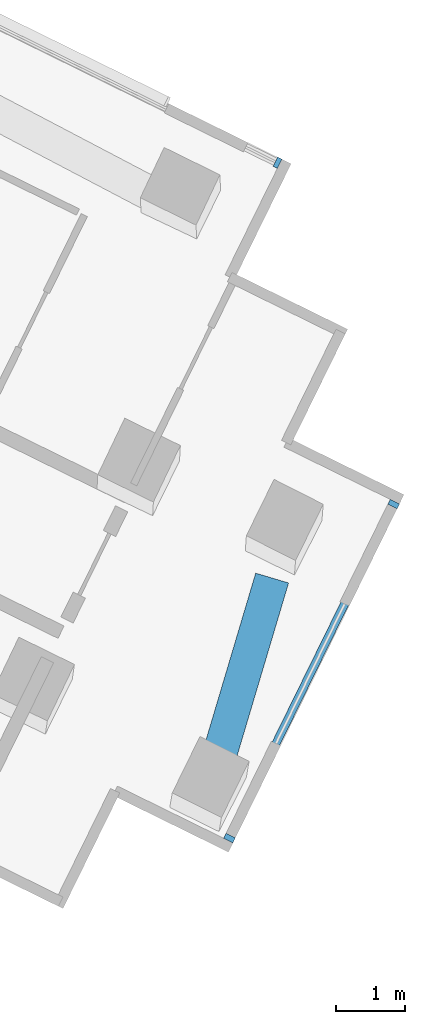
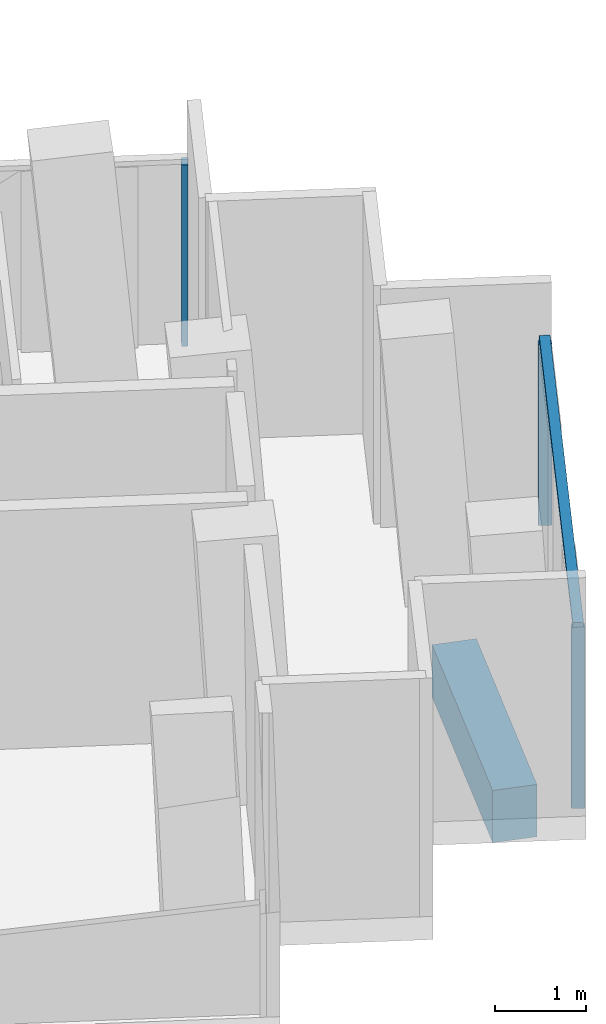
# One storey, part 11 of 25: 4 members, 1 beam, 2 elements without a shape of their own.
"""IFC4 building model written with IfcOpenShell, lengths in metres."""

from ifc_helpers import new_model, si_unit, direction, frame, origin, origin_2d, place, context, subcontext, project, spatial, rectangle, extrude, material, layer, layer_set, material_profile, profile_set, type_object, element, aggregate, save


model = new_model("IFC4")

# Units and contexts
model_context = context("Model", 3, precision=1e-05, world=origin(), true_north=direction((0.0, 1.0)))
body_context = subcontext(model_context, "Body", "Model", "MODEL_VIEW")
ifc_project = project(units=[si_unit("LENGTHUNIT", "METRE"), si_unit("AREAUNIT", "SQUARE_METRE"), si_unit("VOLUMEUNIT", "CUBIC_METRE"), si_unit("PLANEANGLEUNIT", "RADIAN"), si_unit("MASSUNIT", "GRAM", prefix="KILO")], contexts=[model_context])

# Site, building, storey
site_placement = place(None, origin())
site = spatial("IfcSite", under=ifc_project, at=site_placement, CompositionType="ELEMENT")
building_placement = place(site_placement, origin())
building = spatial("IfcBuilding", under=site, at=building_placement, Name="Verdalira Terraces Hotel", CompositionType="ELEMENT")
storey_placement = place(building_placement, frame((0.0, 0.0, 49.5)))
storey = spatial("IfcBuildingStorey", under=building, at=storey_placement, Name="L10", CompositionType="ELEMENT", Elevation=49.5)

# Curtain wall, member
ifc_material_1 = material(Name="Clear glass", Category="glass")
ifc_layer_1 = layer(ifc_material_1, 0.14990234375)
ifc_layer_set_1 = layer_set([ifc_layer_1], Name="CW2 curtain wall")
curtain_wall_type_1 = type_object("IfcCurtainWallType", Name="CW2 curtain wall", PredefinedType="NOTDEFINED", material=ifc_layer_set_1)
curtain_wall_1_placement = place(storey_placement, origin())
curtain_wall_1 = element("IfcCurtainWall", 1, at=curtain_wall_1_placement, inside=storey, type_object=curtain_wall_type_1, Name="CW2 curtain wall L10 edge 38", PredefinedType="NOTDEFINED")
ifc_material_2 = material(Name="Terracotta frame", Category="masonry")
ifc_material_profile_1 = material_profile(ifc_material_2, rectangle(XDim=0.070068, YDim=0.149902, at=origin_2d()), Name="MU 70x150")
ifc_profile_set_1 = profile_set([ifc_material_profile_1], Name="Terracotta frame")
member_type_1 = type_object("IfcMemberType", Name="CW2 mullion 70x150", PredefinedType="MULLION", material=ifc_profile_set_1)
member_1_placement = place(storey_placement, frame((34.088623, -9.585938, 0.0), z_axis=(0.0, 0.0, 1.0), x_axis=(-0.89756638, 0.440879341, 0.0)))
member_1 = element("IfcMember", 2, at=member_1_placement, type_object=member_type_1, Name="CW2 mullion", PredefinedType="MULLION", context=body_context, shape_type="SweptSolid", body=[
    extrude(rectangle(XDim=0.070068, YDim=0.149902, at=origin_2d()), origin(), (0.0, 0.0, 1.0), 2.425049),
])
aggregate(curtain_wall_1, [member_1])

# Curtain wall, members
ifc_material_3 = material(Name="Clear glass", Category="glass")
ifc_layer_2 = layer(ifc_material_3, 0.14990234375)
ifc_layer_set_2 = layer_set([ifc_layer_2], Name="CW3 curtain wall")
curtain_wall_type_2 = type_object("IfcCurtainWallType", Name="CW3 curtain wall", PredefinedType="NOTDEFINED", material=ifc_layer_set_2)
curtain_wall_2_placement = place(storey_placement, origin())
curtain_wall_2 = element("IfcCurtainWall", 3, at=curtain_wall_2_placement, inside=storey, type_object=curtain_wall_type_2, Name="CW3 curtain wall L10 edge 33", PredefinedType="NOTDEFINED")
ifc_material_4 = material(Name="Terracotta frame", Category="masonry")
ifc_material_profile_2 = material_profile(ifc_material_4, rectangle(XDim=0.080078, YDim=0.149902, at=origin_2d()), Name="MU 80x150")
ifc_profile_set_2 = profile_set([ifc_material_profile_2], Name="Terracotta frame")
member_type_2 = type_object("IfcMemberType", Name="CW3 mullion 80x150", PredefinedType="MULLION", material=ifc_profile_set_2)
member_2_placement = place(storey_placement, frame((33.391113, -19.420898, 0.0), z_axis=(0.0, 0.0, 1.0), x_axis=(0.440879341, 0.89756638, 0.0)))
member_2 = element("IfcMember", 4, at=member_2_placement, type_object=member_type_2, Name="CW3 mullion", PredefinedType="MULLION", context=body_context, shape_type="SweptSolid", body=[
    extrude(rectangle(XDim=0.080078, YDim=0.149902, at=origin_2d()), origin(), (0.0, 0.0, 1.0), 2.425049),
])
member_3_placement = place(storey_placement, frame((35.780762, -14.555908, 0.0), z_axis=(0.0, 0.0, 1.0), x_axis=(0.440879341, 0.89756638, 0.0)))
member_3 = element("IfcMember", 5, at=member_3_placement, type_object=member_type_2, Name="CW3 mullion", PredefinedType="MULLION", context=body_context, shape_type="SweptSolid", body=[
    extrude(rectangle(XDim=0.080078, YDim=0.149902, at=origin_2d()), origin(), (0.0, 0.0, 1.0), 2.425049),
])
ifc_material_5 = material(Name="Terracotta frame", Category="masonry")
ifc_material_profile_3 = material_profile(ifc_material_5, rectangle(XDim=0.120117, YDim=0.064941, at=origin_2d()), Name="TR 65x120")
ifc_profile_set_3 = profile_set([ifc_material_profile_3], Name="Terracotta frame")
member_type_3 = type_object("IfcMemberType", Name="CW3 transom 65x120", PredefinedType="USERDEFINED", material=ifc_profile_set_3)
member_4_placement = place(storey_placement, frame((33.373535, -19.456787, 2.45752), z_axis=(0.440863728, 0.897574049, 0.0), x_axis=(-0.897574049, 0.440863728, 0.0)))
member_4 = element("IfcMember", 6, at=member_4_placement, type_object=member_type_3, Name="CW3 transom", ObjectType="TRANSOM", PredefinedType="USERDEFINED", context=body_context, shape_type="SweptSolid", body=[
    extrude(rectangle(XDim=0.120117, YDim=0.064941, at=origin_2d()), origin(), (0.0, 0.0, 1.0), 5.500244),
])
aggregate(curtain_wall_2, [member_2, member_3, member_4])

# Beam
ifc_material_6 = material(Name="Concrete C70", Category="concrete")
ifc_material_profile_4 = material_profile(ifc_material_6, rectangle(XDim=0.5, YDim=0.699951, at=origin_2d()), Name="RC 500X700")
ifc_profile_set_4 = profile_set([ifc_material_profile_4], Name="Concrete C70")
beam_type = type_object("IfcBeamType", Name="Spandrel beam RC 500X700 C70", PredefinedType="SPANDREL", material=ifc_profile_set_4)
beam_placement = place(storey_placement, frame((33.193604, -18.378906, -0.659912), z_axis=(0.285463264, 0.958389652, 0.0), x_axis=(-0.958389652, 0.285463264, 0.0)))
element("IfcBeam", 7, at=beam_placement, inside=storey, type_object=beam_type, Name="Spandrel beam B27", PredefinedType="SPANDREL", context=body_context, shape_type="SweptSolid", body=[
    extrude(rectangle(XDim=0.5, YDim=0.699951, at=origin_2d()), origin(), (0.0, 0.0, 1.0), 2.86499),
])

save(model, "model.ifc")
